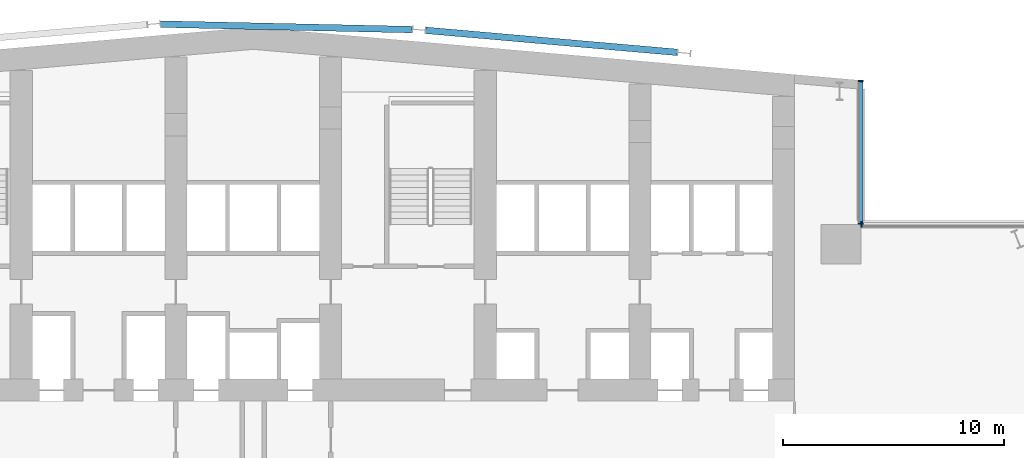
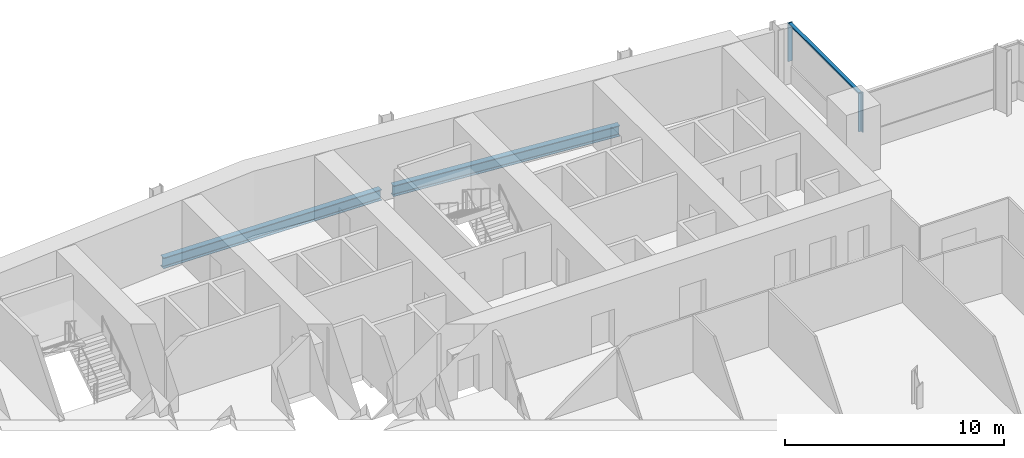
# One storey, part 9 of 25: 4 members, 2 beams, 2 elements without a shape of their own.
"""IFC4 building model written with IfcOpenShell, lengths in metres."""

from ifc_helpers import new_model, si_unit, direction, frame, origin, origin_2d, place, context, subcontext, project, spatial, rectangle, i_section, extrude, material, material_profile, profile_set, type_object, element, aggregate, save


model = new_model("IFC4")

# Units and contexts
model_context = context("Model", 3, precision=1e-05, world=origin(), true_north=direction((0.0, 1.0)))
body_context = subcontext(model_context, "Body", "Model", "MODEL_VIEW")
ifc_project = project(units=[si_unit("LENGTHUNIT", "METRE"), si_unit("AREAUNIT", "SQUARE_METRE"), si_unit("VOLUMEUNIT", "CUBIC_METRE"), si_unit("PLANEANGLEUNIT", "RADIAN"), si_unit("MASSUNIT", "GRAM", prefix="KILO")], contexts=[model_context])

# Site, building, storey
site_placement = place(None, origin())
site = spatial("IfcSite", under=ifc_project, at=site_placement, CompositionType="ELEMENT")
building_placement = place(site_placement, origin())
building = spatial("IfcBuilding", under=site, at=building_placement, Name="Wharfspan Tower", CompositionType="ELEMENT")
storey_placement = place(building_placement, frame((0.0, 0.0, 143.5)))
storey = spatial("IfcBuildingStorey", under=building, at=storey_placement, Name="L34", CompositionType="ELEMENT", Elevation=143.5)

# Beams
ifc_material_1 = material(Name="Steel S355J2", Category="steel")
ifc_material_profile_1 = material_profile(ifc_material_1, i_section(OverallWidth=0.300049, OverallDepth=0.600098, WebThickness=0.015381, FlangeThickness=0.030029, FilletRadius=0.0271, at=origin_2d()))
ifc_profile_set_1 = profile_set([ifc_material_profile_1], Name="Steel S355J2")
beam_type = type_object("IfcBeamType", Name="Edge beam HEB 600", PredefinedType="SPANDREL", material=ifc_profile_set_1)
beam_1_placement = place(storey_placement, frame((59.695068, 49.791504, -0.699951), z_axis=(-0.996194, 0.087162, 0.0), x_axis=(-0.087162, -0.996194, 0.0)))
element("IfcBeam", 1, at=beam_1_placement, inside=storey, type_object=beam_type, Name="Edge beam N2 L34 R.4 to R.3", PredefinedType="SPANDREL", context=body_context, shape_type="SweptSolid", body=[
    extrude(i_section(OverallWidth=0.300049, OverallDepth=0.600098, WebThickness=0.015381, FlangeThickness=0.030029, FilletRadius=0.0271, at=origin_2d()), origin(), (0.0, 0.0, 1.0), 11.433594),
])
beam_2_placement = place(storey_placement, frame((36.307861, 51.070557, -0.699951), z_axis=(0.99976, -0.021888, 0.0), x_axis=(0.021888, 0.99976, 0.0)))
element("IfcBeam", 2, at=beam_2_placement, inside=storey, type_object=beam_type, Name="Edge beam L34 R.2 to R.3", PredefinedType="SPANDREL", context=body_context, shape_type="SweptSolid", body=[
    extrude(i_section(OverallWidth=0.300049, OverallDepth=0.600098, WebThickness=0.015381, FlangeThickness=0.030029, FilletRadius=0.0271, at=origin_2d()), origin(), (0.0, 0.0, 1.0), 11.388184),
])

# Curtain wall, member
ifc_material_2 = material(Name="Aluminium 6063-T6", Category="aluminium")
curtain_wall_type = type_object("IfcCurtainWallType", Name="CURTAIN WALL PROW AND END", PredefinedType="NOTDEFINED", material=ifc_material_2)
curtain_wall_1_placement = place(storey_placement, origin())
curtain_wall_1 = element("IfcCurtainWall", 3, at=curtain_wall_1_placement, inside=storey, type_object=curtain_wall_type, Name="Curtain wall NRE-H", PredefinedType="NOTDEFINED")
ifc_material_profile_2 = material_profile(ifc_material_2, rectangle(XDim=0.23999, YDim=0.060059, at=origin_2d()))
ifc_profile_set_2 = profile_set([ifc_material_profile_2], Name="Aluminium 6063-T6")
member_type_1 = type_object("IfcMemberType", Name="MULLION PROW AND END 60x240", PredefinedType="MULLION", material=ifc_profile_set_2)
member_1_placement = place(storey_placement, frame((68.030029, 42.0, 1.0), z_axis=(0.0, 0.0, 1.0), x_axis=(0.0, -1.0, 0.0)))
member_1 = element("IfcMember", 4, at=member_1_placement, type_object=member_type_1, Name="Curtain wall NRE-H mullion 2", PredefinedType="MULLION", context=body_context, shape_type="SweptSolid", body=[
    extrude(rectangle(XDim=0.23999, YDim=0.060059, at=origin_2d()), origin(), (0.0, 0.0, 1.0), 2.149902),
])
aggregate(curtain_wall_1, [member_1])

# Curtain wall, members
curtain_wall_2_placement = place(storey_placement, origin())
curtain_wall_2 = element("IfcCurtainWall", 5, at=curtain_wall_2_placement, inside=storey, type_object=curtain_wall_type, Name="Curtain wall NRE-V", PredefinedType="NOTDEFINED")
member_2_placement = place(storey_placement, frame((68.0, 42.030029, 1.0), z_axis=(0.0, 0.0, 1.0), x_axis=(-1.0, 0.0, 0.0)))
member_2 = element("IfcMember", 6, at=member_2_placement, type_object=member_type_1, Name="Curtain wall NRE-V mullion 1", PredefinedType="MULLION", context=body_context, shape_type="SweptSolid", body=[
    extrude(rectangle(XDim=0.23999, YDim=0.060059, at=origin_2d()), origin(), (0.0, 0.0, 1.0), 2.149902),
])
member_3_placement = place(storey_placement, frame((68.0, 48.494873, 1.0), z_axis=(0.0, 0.0, 1.0), x_axis=(-1.0, 0.0, 0.0)))
member_3 = element("IfcMember", 7, at=member_3_placement, type_object=member_type_1, Name="Curtain wall NRE-V mullion 2", PredefinedType="MULLION", context=body_context, shape_type="SweptSolid", body=[
    extrude(rectangle(XDim=0.23999, YDim=0.060059, at=origin_2d()), origin(), (0.0, 0.0, 1.0), 2.149902),
])
ifc_material_profile_3 = material_profile(ifc_material_2, rectangle(XDim=0.179932, YDim=0.080078, at=origin_2d()))
ifc_profile_set_3 = profile_set([ifc_material_profile_3], Name="Aluminium 6063-T6")
member_type_2 = type_object("IfcMemberType", Name="TRANSOM PROW AND END 80x180", PredefinedType="USERDEFINED", material=ifc_profile_set_3)
member_4_placement = place(storey_placement, frame((68.0, 42.060059, 3.110107), z_axis=(0.0, 1.0, 0.0), x_axis=(-1.0, 0.0, 0.0)))
member_4 = element("IfcMember", 8, at=member_4_placement, type_object=member_type_2, Name="Curtain wall NRE-V transom 1", ObjectType="TRANSOM", PredefinedType="USERDEFINED", context=body_context, shape_type="SweptSolid", body=[
    extrude(rectangle(XDim=0.179932, YDim=0.080078, at=origin_2d()), origin(), (0.0, 0.0, 1.0), 6.404785),
])
aggregate(curtain_wall_2, [member_2, member_3, member_4])

save(model, "model.ifc")
